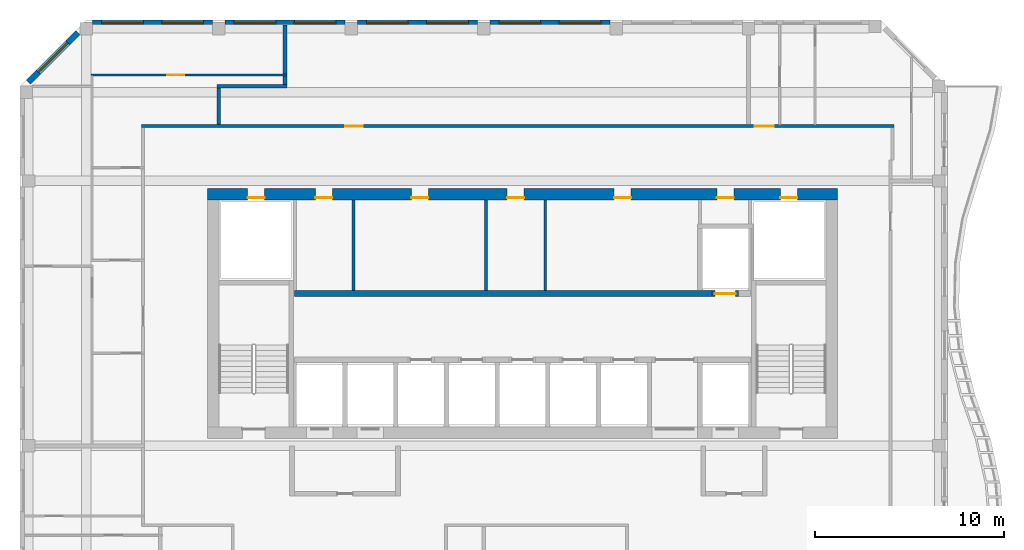
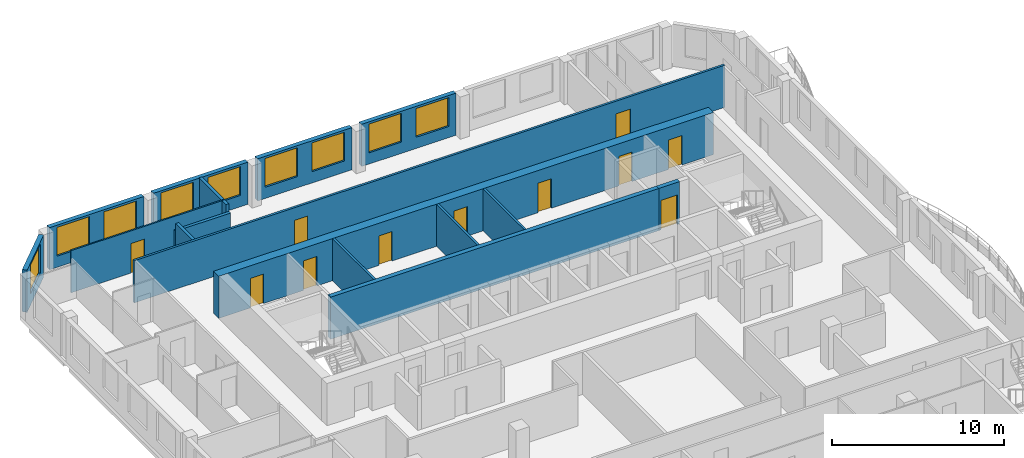
# One storey, part 7 of 13: 17 walls, 11 doors, 9 windows, 20 openings.
"""IFC4 building model written with IfcOpenShell, lengths in metres."""

from ifc_helpers import new_model, si_unit, direction, frame, frame_2d, origin, place, context, subcontext, project, spatial, rectangle, extrude, source, transform, mapped, material, layer, layer_set, type_object, element, fill, save


model = new_model("IFC4")

# Units and contexts
model_context = context("Model", 3, precision=1e-05, world=origin(), true_north=direction((0.0, 1.0)))
body_context = subcontext(model_context, "Body", "Model", "MODEL_VIEW")
ifc_project = project(units=[si_unit("LENGTHUNIT", "METRE"), si_unit("AREAUNIT", "SQUARE_METRE"), si_unit("VOLUMEUNIT", "CUBIC_METRE"), si_unit("PLANEANGLEUNIT", "RADIAN"), si_unit("MASSUNIT", "GRAM", prefix="KILO")], contexts=[model_context])

# Site, building, storey
site_placement = place(None, origin())
site = spatial("IfcSite", under=ifc_project, at=site_placement, CompositionType="ELEMENT")
building_placement = place(site_placement, origin())
building = spatial("IfcBuilding", under=site, at=building_placement, Name="Kilnfold Tower and Market Hall", CompositionType="ELEMENT")
storey_placement = place(building_placement, frame((0.0, 0.0, 287.39990234375)))
storey = spatial("IfcBuildingStorey", under=building, at=storey_placement, Name="L71", CompositionType="ELEMENT", Elevation=287.39990234375)

# Wall, openings, doors
ifc_material_1 = material(Name="Gypsum board on steel studs", Category="steel")
ifc_layer_1 = layer(ifc_material_1, 0.14990234375)
ifc_layer_set_1 = layer_set([ifc_layer_1], Name="Gypsum board on steel studs")
wall_type_1 = type_object("IfcWallType", Name="WALL CORRIDOR 150", PredefinedType="PARTITIONING", material=ifc_layer_set_1)
wall_1_placement = place(storey_placement, frame((-19.074951171875, 24.89990234375, 0.0), z_axis=(0.0, 0.0, 1.0), x_axis=(1.0, 0.0, 0.0)))
wall_1 = element("IfcWall", 1, at=wall_1_placement, inside=storey, type_object=wall_type_1, Name="Partition LY43.24", PredefinedType="PARTITIONING", context=body_context, shape_type="SweptSolid", body=[
    extrude(rectangle(XDim=39.75, YDim=0.14990234375, at=frame_2d((19.875, 0.0))), origin(), (0.0, 0.0, 1.0), 3.0),
])
opening_1_placement = place(wall_1_placement, frame((10.77001953125, 0.0, 0.0)))
opening_1 = element("IfcOpeningElement", 2, at=opening_1_placement, cuts=wall_1, Name="Opening D2", PredefinedType="OPENING", context=body_context, shape_type="SweptSolid", body=[
    extrude(rectangle(XDim=0.89990234375, YDim=2.10009765625, at=frame_2d((0.449951171875, 1.050048828125))), frame((0.0, 0.0849609375, 0.0), z_axis=(0.0, -1.0, 0.0), x_axis=(1.0, 0.0, 0.0)), (0.0, 0.0, 1.0), 0.169921875),
])
opening_2_placement = place(wall_1_placement, frame((32.39501953125, 0.0, 0.0)))
opening_2 = element("IfcOpeningElement", 3, at=opening_2_placement, cuts=wall_1, Name="Opening D1", PredefinedType="OPENING", context=body_context, shape_type="SweptSolid", body=[
    extrude(rectangle(XDim=1.0, YDim=2.10009765625, at=frame_2d((0.5, 1.050048828125))), frame((0.0, 0.0849609375, 0.0), z_axis=(0.0, -1.0, 0.0), x_axis=(1.0, 0.0, 0.0)), (0.0, 0.0, 1.0), 0.169921875),
])
ifc_material_2 = material(Name="Timber veneer door leaf in steel frame", Category="steel")
door_type_1 = type_object("IfcDoorType", Name="DOOR ENTRY 1000 X2100", OperationType="NOTDEFINED", PredefinedType="DOOR", material=ifc_material_2)
door_1_placement = place(opening_2_placement, origin())
door_1 = element("IfcDoor", 4, at=door_1_placement, inside=storey, type_object=door_type_1, Name="Door D1", OperationType="SINGLE_SWING_RIGHT", OverallHeight=2.10009765625, OverallWidth=1.0, PredefinedType="DOOR", context=body_context, shape_type="SweptSolid", body=[
    extrude(rectangle(XDim=1.0, YDim=2.10009765625, at=frame_2d((0.5, 1.050048828125))), frame((0.0, 0.02490234375, 0.0), z_axis=(0.0, -1.0, 0.0), x_axis=(1.0, 0.0, 0.0)), (0.0, 0.0, 1.0), 0.050048828125),
])
fill(opening_2, door_1)
ifc_material_3 = material(Name="Timber veneer door leaf in steel frame", Category="steel")
door_type_2 = type_object("IfcDoorType", Name="DOOR ROOM 900 X2100", OperationType="NOTDEFINED", PredefinedType="DOOR", material=ifc_material_3)
door_2_placement = place(opening_1_placement, origin())
door_2 = element("IfcDoor", 5, at=door_2_placement, inside=storey, type_object=door_type_2, Name="Door D2", OperationType="SINGLE_SWING_LEFT", OverallHeight=2.10009765625, OverallWidth=0.89990234375, PredefinedType="DOOR", context=body_context, shape_type="SweptSolid", body=[
    extrude(rectangle(XDim=0.89990234375, YDim=2.10009765625, at=frame_2d((0.449951171875, 1.050048828125))), frame((0.0, 0.02490234375, 0.0), z_axis=(0.0, -1.0, 0.0), x_axis=(1.0, 0.0, 0.0)), (0.0, 0.0, 1.0), 0.050048828125),
])
fill(opening_1, door_2)

# Wall, opening, door
ifc_material_4 = material(Name="Gypsum board on steel studs", Category="steel")
ifc_layer_2 = layer(ifc_material_4, 0.10009765625)
ifc_layer_set_2 = layer_set([ifc_layer_2], Name="Gypsum board on steel studs")
wall_type_2 = type_object("IfcWallType", Name="WALL PARTITION 100", PredefinedType="PARTITIONING", material=ifc_layer_set_2)
wall_2_placement = place(storey_placement, frame((-11.39990234375, 27.60009765625, 0.0), z_axis=(0.0, 0.0, 1.0), x_axis=(-1.0, 0.0, 0.0)))
wall_2 = element("IfcWall", 6, at=wall_2_placement, inside=storey, type_object=wall_type_2, Name="Partition LY43.79", PredefinedType="PARTITIONING", context=body_context, shape_type="SweptSolid", body=[
    extrude(rectangle(XDim=10.35009765625, YDim=0.10009765625, at=frame_2d((5.175048828125, 0.0))), origin(), (0.0, 0.0, 1.0), 3.0),
])
opening_3_placement = place(wall_2_placement, frame((5.428955078125, 0.0, 0.0)))
opening_3 = element("IfcOpeningElement", 7, at=opening_3_placement, cuts=wall_2, Name="Opening D2", PredefinedType="OPENING", context=body_context, shape_type="SweptSolid", body=[
    extrude(rectangle(XDim=0.89990234375, YDim=2.10009765625, at=frame_2d((0.449951171875, 1.050048828125))), frame((0.0, 0.06005859375, 0.0), z_axis=(0.0, -1.0, 0.0), x_axis=(1.0, 0.0, 0.0)), (0.0, 0.0, 1.0), 0.1201171875),
])
door_3_placement = place(opening_3_placement, origin())
door_3 = element("IfcDoor", 8, at=door_3_placement, inside=storey, type_object=door_type_2, Name="Door D2", OperationType="SINGLE_SWING_LEFT", OverallHeight=2.10009765625, OverallWidth=0.89990234375, PredefinedType="DOOR", context=body_context, shape_type="SweptSolid", body=[
    extrude(rectangle(XDim=0.89990234375, YDim=2.10009765625, at=frame_2d((0.449951171875, 1.050048828125))), frame((0.0, 0.02490234375, 0.0), z_axis=(0.0, -1.0, 0.0), x_axis=(1.0, 0.0, 0.0)), (0.0, 0.0, 1.0), 0.050048828125),
])
fill(opening_3, door_3)

# Walls
ifc_material_5 = material(Name="Gypsum board on steel studs", Category="steel")
ifc_layer_3 = layer(ifc_material_5, 0.199951171875)
ifc_layer_set_3 = layer_set([ifc_layer_3], Name="Gypsum board on steel studs")
wall_type_3 = type_object("IfcWallType", Name="WALL PARTY 200", PredefinedType="PARTITIONING", material=ifc_layer_set_3)
wall_3_placement = place(storey_placement, frame((-15.0, 26.89990234375, 0.0), z_axis=(0.0, 0.0, 1.0), x_axis=(0.0, -1.0, 0.0)))
element("IfcWall", 9, at=wall_3_placement, inside=storey, type_object=wall_type_3, Name="Partition LY43.67", PredefinedType="PARTITIONING", context=body_context, shape_type="SweptSolid", body=[
    extrude(rectangle(XDim=1.9228515625, YDim=0.199951171875, at=frame_2d((0.96142578125, 0.0))), origin(), (0.0, 0.0, 1.0), 3.0),
])
wall_4_placement = place(storey_placement, frame((-11.39990234375, 27.0, 0.0), z_axis=(0.0, 0.0, 1.0), x_axis=(-1.0, 0.0, 0.0)))
element("IfcWall", 10, at=wall_4_placement, inside=storey, type_object=wall_type_3, Name="Partition LY43.68", PredefinedType="PARTITIONING", context=body_context, shape_type="SweptSolid", body=[
    extrude(rectangle(XDim=3.7001953125, YDim=0.199951171875, at=frame_2d((1.85009765625, 0.0))), origin(), (0.0, 0.0, 1.0), 2.4501953125),
])
wall_5_placement = place(storey_placement, frame((-11.5, 27.10009765625, 0.0), z_axis=(0.0, 0.0, 1.0), x_axis=(0.0, 1.0, 0.0)))
element("IfcWall", 11, at=wall_5_placement, inside=storey, type_object=wall_type_3, Name="Partition LY43.69", PredefinedType="PARTITIONING", context=body_context, shape_type="SweptSolid", body=[
    extrude(rectangle(XDim=0.4599609375, YDim=0.199951171875, at=frame_2d((0.22998046875, 0.0))), origin(), (0.0, 0.0, 1.0), 3.0),
])
wall_6_placement = place(storey_placement, frame((-11.5, 27.64208984375, 0.0), z_axis=(0.0, 0.0, 1.0), x_axis=(0.0, 1.0, 0.0)))
element("IfcWall", 12, at=wall_6_placement, inside=storey, type_object=wall_type_3, Name="Partition LY43.70", PredefinedType="PARTITIONING", context=body_context, shape_type="SweptSolid", body=[
    extrude(rectangle(XDim=2.60791015625, YDim=0.199951171875, at=frame_2d((1.303955078125, 0.0))), origin(), (0.0, 0.0, 1.0), 3.0),
])
ifc_material_6 = material(Name="Concrete C50", Category="concrete")
ifc_layer_4 = layer(ifc_material_6, 0.300048828125)
ifc_layer_set_4 = layer_set([ifc_layer_4], Name="Concrete C50")
wall_type_4 = type_object("IfcWallType", Name="CORE WALL 300 C50", PredefinedType="SHEAR", material=ifc_layer_set_4)
shared_shape_1 = source(origin(), body_context, "Body", "SweptSolid", [
    extrude(rectangle(XDim=22.080078125, YDim=0.300048828125, at=frame_2d((11.0400390625, 0.0))), origin(), (0.0, 0.0, 1.0), 3.0),
])
wall_7_placement = place(storey_placement, frame((-11.010009765625, 16.050048828125, 0.0), z_axis=(0.0, 0.0, 1.0), x_axis=(1.0, 0.0, 0.0)))
element("IfcWall", 13, at=wall_7_placement, inside=storey, type_object=wall_type_4, Name="Core spine wall", PredefinedType="SHEAR", context=body_context, shape_type="MappedRepresentation", body=[
    mapped(shared_shape_1, transform((0.0, 0.0, 0.0))),
])

# Wall, openings, doors
ifc_material_7 = material(Name="Concrete C50", Category="concrete")
ifc_layer_5 = layer(ifc_material_7, 0.60009765625)
ifc_layer_set_5 = layer_set([ifc_layer_5], Name="Concrete C50")
wall_type_5 = type_object("IfcWallType", Name="CORE WALL 600 C50", PredefinedType="SHEAR", material=ifc_layer_set_5)
shared_shape_2 = source(origin(), body_context, "Body", "SweptSolid", [
    extrude(rectangle(XDim=33.300048828125, YDim=0.60009765625, at=frame_2d((16.64990234375, 0.0))), origin(), (0.0, 0.0, 1.0), 3.0),
])
wall_8_placement = place(storey_placement, frame((-15.60009765625, 21.300048828125, 0.0), z_axis=(0.0, 0.0, 1.0), x_axis=(1.0, 0.0, 0.0)))
wall_8 = element("IfcWall", 14, at=wall_8_placement, inside=storey, type_object=wall_type_5, Name="Core outer wall north", PredefinedType="SHEAR", context=body_context, shape_type="MappedRepresentation", body=[
    mapped(shared_shape_2, transform((0.0, 0.0, 0.0))),
])
opening_4_placement = place(wall_8_placement, frame((5.707763671875, 0.0, 0.0)))
opening_4 = element("IfcOpeningElement", 15, at=opening_4_placement, cuts=wall_8, Name="Opening KD1", PredefinedType="OPENING", context=body_context, shape_type="SweptSolid", body=[
    extrude(rectangle(XDim=0.89990234375, YDim=2.10009765625, at=frame_2d((0.449951171875, 1.050048828125))), frame((0.0, 0.31005859375, 0.0), z_axis=(0.0, -1.0, 0.0), x_axis=(1.0, 0.0, 0.0)), (0.0, 0.0, 1.0), 0.6201171875),
])
opening_5_placement = place(wall_8_placement, frame((10.77294921875, 0.0, 0.0)))
opening_5 = element("IfcOpeningElement", 16, at=opening_5_placement, cuts=wall_8, Name="Opening KD1", PredefinedType="OPENING", context=body_context, shape_type="SweptSolid", body=[
    extrude(rectangle(XDim=0.89990234375, YDim=2.10009765625, at=frame_2d((0.449951171875, 1.050048828125))), frame((0.0, 0.31005859375, 0.0), z_axis=(0.0, -1.0, 0.0), x_axis=(1.0, 0.0, 0.0)), (0.0, 0.0, 1.0), 0.6201171875),
])
opening_6_placement = place(wall_8_placement, frame((15.838134765625, 0.0, 0.0)))
opening_6 = element("IfcOpeningElement", 17, at=opening_6_placement, cuts=wall_8, Name="Opening KD1", PredefinedType="OPENING", context=body_context, shape_type="SweptSolid", body=[
    extrude(rectangle(XDim=0.89990234375, YDim=2.10009765625, at=frame_2d((0.449951171875, 1.050048828125))), frame((0.0, 0.31005859375, 0.0), z_axis=(0.0, -1.0, 0.0), x_axis=(1.0, 0.0, 0.0)), (0.0, 0.0, 1.0), 0.6201171875),
])
opening_7_placement = place(wall_8_placement, frame((21.492919921875, 0.0, 0.0)))
opening_7 = element("IfcOpeningElement", 18, at=opening_7_placement, cuts=wall_8, Name="Opening KD1", PredefinedType="OPENING", context=body_context, shape_type="SweptSolid", body=[
    extrude(rectangle(XDim=0.89990234375, YDim=2.10009765625, at=frame_2d((0.449951171875, 1.050048828125))), frame((0.0, 0.31005859375, 0.0), z_axis=(0.0, -1.0, 0.0), x_axis=(1.0, 0.0, 0.0)), (0.0, 0.0, 1.0), 0.6201171875),
])
opening_8_placement = place(wall_8_placement, frame((26.919921875, 0.0, 0.0)))
opening_8 = element("IfcOpeningElement", 19, at=opening_8_placement, cuts=wall_8, Name="Opening KD1", PredefinedType="OPENING", context=body_context, shape_type="SweptSolid", body=[
    extrude(rectangle(XDim=0.89990234375, YDim=2.10009765625, at=frame_2d((0.449951171875, 1.050048828125))), frame((0.0, 0.31005859375, 0.0), z_axis=(0.0, -1.0, 0.0), x_axis=(1.0, 0.0, 0.0)), (0.0, 0.0, 1.0), 0.6201171875),
])
opening_9_placement = place(wall_8_placement, frame((2.125, 0.0, 0.0)))
opening_9 = element("IfcOpeningElement", 20, at=opening_9_placement, cuts=wall_8, Name="Opening KD1", PredefinedType="OPENING", context=body_context, shape_type="SweptSolid", body=[
    extrude(rectangle(XDim=0.89990234375, YDim=2.10009765625, at=frame_2d((0.449951171875, 1.050048828125))), frame((0.0, 0.31005859375, 0.0), z_axis=(0.0, -1.0, 0.0), x_axis=(1.0, 0.0, 0.0)), (0.0, 0.0, 1.0), 0.6201171875),
])
opening_10_placement = place(wall_8_placement, frame((30.27490234375, 0.0, 0.0)))
opening_10 = element("IfcOpeningElement", 21, at=opening_10_placement, cuts=wall_8, Name="Opening KD1", PredefinedType="OPENING", context=body_context, shape_type="SweptSolid", body=[
    extrude(rectangle(XDim=0.89990234375, YDim=2.10009765625, at=frame_2d((0.449951171875, 1.050048828125))), frame((0.0, 0.31005859375, 0.0), z_axis=(0.0, -1.0, 0.0), x_axis=(1.0, 0.0, 0.0)), (0.0, 0.0, 1.0), 0.6201171875),
])
ifc_material_8 = material(Name="Steel door set with fire-resisting leaf", Category="steel")
door_type_3 = type_object("IfcDoorType", Name="SERVICE DOOR 900X2100", OperationType="NOTDEFINED", PredefinedType="DOOR", material=ifc_material_8)
door_4_placement = place(opening_4_placement, origin())
door_4 = element("IfcDoor", 22, at=door_4_placement, inside=storey, type_object=door_type_3, Name="Core service door", OperationType="SINGLE_SWING_RIGHT", OverallHeight=2.10009765625, OverallWidth=0.89990234375, PredefinedType="DOOR", context=body_context, shape_type="SweptSolid", body=[
    extrude(rectangle(XDim=0.89990234375, YDim=2.10009765625, at=frame_2d((0.449951171875, 1.050048828125))), frame((0.0, -0.15478515625, 0.0), z_axis=(0.0, -1.0, 0.0), x_axis=(1.0, 0.0, 0.0)), (0.0, 0.0, 1.0), 0.050048828125),
])
fill(opening_4, door_4)
door_5_placement = place(opening_5_placement, origin())
door_5 = element("IfcDoor", 23, at=door_5_placement, inside=storey, type_object=door_type_3, Name="Core service door", OperationType="SINGLE_SWING_LEFT", OverallHeight=2.10009765625, OverallWidth=0.89990234375, PredefinedType="DOOR", context=body_context, shape_type="SweptSolid", body=[
    extrude(rectangle(XDim=0.89990234375, YDim=2.10009765625, at=frame_2d((0.449951171875, 1.050048828125))), frame((0.0, -0.15478515625, 0.0), z_axis=(0.0, -1.0, 0.0), x_axis=(1.0, 0.0, 0.0)), (0.0, 0.0, 1.0), 0.050048828125),
])
fill(opening_5, door_5)
door_6_placement = place(opening_6_placement, origin())
door_6 = element("IfcDoor", 24, at=door_6_placement, inside=storey, type_object=door_type_3, Name="Core service door", OperationType="SINGLE_SWING_RIGHT", OverallHeight=2.10009765625, OverallWidth=0.89990234375, PredefinedType="DOOR", context=body_context, shape_type="SweptSolid", body=[
    extrude(rectangle(XDim=0.89990234375, YDim=2.10009765625, at=frame_2d((0.449951171875, 1.050048828125))), frame((0.0, -0.15478515625, 0.0), z_axis=(0.0, -1.0, 0.0), x_axis=(1.0, 0.0, 0.0)), (0.0, 0.0, 1.0), 0.050048828125),
])
fill(opening_6, door_6)
door_7_placement = place(opening_7_placement, origin())
door_7 = element("IfcDoor", 25, at=door_7_placement, inside=storey, type_object=door_type_3, Name="Core service door", OperationType="SINGLE_SWING_LEFT", OverallHeight=2.10009765625, OverallWidth=0.89990234375, PredefinedType="DOOR", context=body_context, shape_type="SweptSolid", body=[
    extrude(rectangle(XDim=0.89990234375, YDim=2.10009765625, at=frame_2d((0.449951171875, 1.050048828125))), frame((0.0, -0.15478515625, 0.0), z_axis=(0.0, -1.0, 0.0), x_axis=(1.0, 0.0, 0.0)), (0.0, 0.0, 1.0), 0.050048828125),
])
fill(opening_7, door_7)
door_8_placement = place(opening_8_placement, origin())
door_8 = element("IfcDoor", 26, at=door_8_placement, inside=storey, type_object=door_type_3, Name="Core service door", OperationType="SINGLE_SWING_RIGHT", OverallHeight=2.10009765625, OverallWidth=0.89990234375, PredefinedType="DOOR", context=body_context, shape_type="SweptSolid", body=[
    extrude(rectangle(XDim=0.89990234375, YDim=2.10009765625, at=frame_2d((0.449951171875, 1.050048828125))), frame((0.0, -0.15478515625, 0.0), z_axis=(0.0, -1.0, 0.0), x_axis=(1.0, 0.0, 0.0)), (0.0, 0.0, 1.0), 0.050048828125),
])
fill(opening_8, door_8)
door_9_placement = place(opening_9_placement, origin())
door_9 = element("IfcDoor", 27, at=door_9_placement, inside=storey, type_object=door_type_3, Name="Electrical riser access door", OperationType="SINGLE_SWING_LEFT", OverallHeight=2.10009765625, OverallWidth=0.89990234375, PredefinedType="DOOR", context=body_context, shape_type="SweptSolid", body=[
    extrude(rectangle(XDim=0.89990234375, YDim=2.10009765625, at=frame_2d((0.449951171875, 1.050048828125))), frame((0.0, -0.15478515625, 0.0), z_axis=(0.0, -1.0, 0.0), x_axis=(1.0, 0.0, 0.0)), (0.0, 0.0, 1.0), 0.050048828125),
])
fill(opening_9, door_9)
door_10_placement = place(opening_10_placement, origin())
door_10 = element("IfcDoor", 28, at=door_10_placement, inside=storey, type_object=door_type_3, Name="Mechanical riser access door", OperationType="SINGLE_SWING_RIGHT", OverallHeight=2.10009765625, OverallWidth=0.89990234375, PredefinedType="DOOR", context=body_context, shape_type="SweptSolid", body=[
    extrude(rectangle(XDim=0.89990234375, YDim=2.10009765625, at=frame_2d((0.449951171875, 1.050048828125))), frame((0.0, -0.15478515625, 0.0), z_axis=(0.0, -1.0, 0.0), x_axis=(1.0, 0.0, 0.0)), (0.0, 0.0, 1.0), 0.050048828125),
])
fill(opening_10, door_10)

# Wall, openings, windows
ifc_material_9 = material(Name="Precast concrete C50/60", Category="concrete")
ifc_layer_6 = layer(ifc_material_9, 0.300048828125)
ifc_layer_set_6 = layer_set([ifc_layer_6], Name="Precast concrete C50/60")
wall_type_6 = type_object("IfcWallType", Name="PRECAST WALL 300", PredefinedType="SOLIDWALL", material=ifc_layer_set_6)
shared_shape_3 = source(origin(), body_context, "Body", "SweptSolid", [
    extrude(rectangle(XDim=6.35009765625, YDim=0.300048828125, at=frame_2d((3.175048828125, 0.0))), origin(), (0.0, 0.0, 1.0), 3.0),
])
wall_9_placement = place(storey_placement, frame((5.675048828125, 30.35009765625, 0.0), z_axis=(0.0, 0.0, 1.0), x_axis=(-1.0, 0.0, 0.0)))
wall_9 = element("IfcWall", 29, at=wall_9_placement, inside=storey, type_object=wall_type_6, Name="External wall L71 N", PredefinedType="SOLIDWALL", context=body_context, shape_type="MappedRepresentation", body=[
    mapped(shared_shape_3, transform((0.0, 0.0, 0.0))),
])
opening_11_placement = place(wall_9_placement, frame((0.487548828125, 0.0, 0.800048828125)))
opening_11 = element("IfcOpeningElement", 30, at=opening_11_placement, cuts=wall_9, Name="Opening W3", PredefinedType="OPENING", context=body_context, shape_type="SweptSolid", body=[
    extrude(rectangle(XDim=2.199951171875, YDim=2.050048828125, at=frame_2d((1.10009765625, 1.02490234375))), frame((0.0, 0.16015625, 0.0), z_axis=(0.0, -1.0, 0.0), x_axis=(1.0, 0.0, 0.0)), (0.0, 0.0, 1.0), 0.320068359375),
])
opening_12_placement = place(wall_9_placement, frame((3.66259765625, 0.0, 0.800048828125)))
opening_12 = element("IfcOpeningElement", 31, at=opening_12_placement, cuts=wall_9, Name="Opening W3", PredefinedType="OPENING", context=body_context, shape_type="SweptSolid", body=[
    extrude(rectangle(XDim=2.199951171875, YDim=2.050048828125, at=frame_2d((1.10009765625, 1.02490234375))), frame((0.0, 0.16015625, 0.0), z_axis=(0.0, -1.0, 0.0), x_axis=(1.0, 0.0, 0.0)), (0.0, 0.0, 1.0), 0.320068359375),
])
ifc_material_10 = material(Name="Aluminium frame and double glazing", Category="aluminium")
window_type = type_object("IfcWindowType", Name="WINDOW W3 2200X2050", PartitioningType="SINGLE_PANEL", PredefinedType="WINDOW", material=ifc_material_10)
window_1_placement = place(opening_11_placement, origin())
window_1 = element("IfcWindow", 32, at=window_1_placement, inside=storey, type_object=window_type, Name="Window W3 L71 N-1", OverallHeight=2.050048828125, OverallWidth=2.199951171875, PartitioningType="SINGLE_PANEL", PredefinedType="WINDOW", context=body_context, shape_type="SweptSolid", body=[
    extrude(rectangle(XDim=2.199951171875, YDim=2.050048828125, at=frame_2d((1.10009765625, 1.02490234375))), frame((0.0, 0.030029296875, 0.0), z_axis=(0.0, -1.0, 0.0), x_axis=(1.0, 0.0, 0.0)), (0.0, 0.0, 1.0), 0.06005859375),
])
fill(opening_11, window_1)
window_2_placement = place(opening_12_placement, origin())
window_2 = element("IfcWindow", 33, at=window_2_placement, inside=storey, type_object=window_type, Name="Window W3 L71 N-2", OverallHeight=2.050048828125, OverallWidth=2.199951171875, PartitioningType="SINGLE_PANEL", PredefinedType="WINDOW", context=body_context, shape_type="SweptSolid", body=[
    extrude(rectangle(XDim=2.199951171875, YDim=2.050048828125, at=frame_2d((1.10009765625, 1.02490234375))), frame((0.0, 0.030029296875, 0.0), z_axis=(0.0, -1.0, 0.0), x_axis=(1.0, 0.0, 0.0)), (0.0, 0.0, 1.0), 0.06005859375),
])
fill(opening_12, window_2)

wall_10_placement = place(storey_placement, frame((-1.324951171875, 30.35009765625, 0.0), z_axis=(0.0, 0.0, 1.0), x_axis=(-1.0, 0.0, 0.0)))
wall_10 = element("IfcWall", 34, at=wall_10_placement, inside=storey, type_object=wall_type_6, Name="External wall L71 N", PredefinedType="SOLIDWALL", context=body_context, shape_type="MappedRepresentation", body=[
    mapped(shared_shape_3, transform((0.0, 0.0, 0.0))),
])
opening_13_placement = place(wall_10_placement, frame((0.487548828125, 0.0, 0.800048828125)))
opening_13 = element("IfcOpeningElement", 35, at=opening_13_placement, cuts=wall_10, Name="Opening W3", PredefinedType="OPENING", context=body_context, shape_type="SweptSolid", body=[
    extrude(rectangle(XDim=2.199951171875, YDim=2.050048828125, at=frame_2d((1.10009765625, 1.02490234375))), frame((0.0, 0.16015625, 0.0), z_axis=(0.0, -1.0, 0.0), x_axis=(1.0, 0.0, 0.0)), (0.0, 0.0, 1.0), 0.320068359375),
])
opening_14_placement = place(wall_10_placement, frame((3.66259765625, 0.0, 0.800048828125)))
opening_14 = element("IfcOpeningElement", 36, at=opening_14_placement, cuts=wall_10, Name="Opening W3", PredefinedType="OPENING", context=body_context, shape_type="SweptSolid", body=[
    extrude(rectangle(XDim=2.199951171875, YDim=2.050048828125, at=frame_2d((1.10009765625, 1.02490234375))), frame((0.0, 0.16015625, 0.0), z_axis=(0.0, -1.0, 0.0), x_axis=(1.0, 0.0, 0.0)), (0.0, 0.0, 1.0), 0.320068359375),
])
window_3_placement = place(opening_13_placement, origin())
window_3 = element("IfcWindow", 37, at=window_3_placement, inside=storey, type_object=window_type, Name="Window W3 L71 N-1", OverallHeight=2.050048828125, OverallWidth=2.199951171875, PartitioningType="SINGLE_PANEL", PredefinedType="WINDOW", context=body_context, shape_type="SweptSolid", body=[
    extrude(rectangle(XDim=2.199951171875, YDim=2.050048828125, at=frame_2d((1.10009765625, 1.02490234375))), frame((0.0, 0.030029296875, 0.0), z_axis=(0.0, -1.0, 0.0), x_axis=(1.0, 0.0, 0.0)), (0.0, 0.0, 1.0), 0.06005859375),
])
fill(opening_13, window_3)
window_4_placement = place(opening_14_placement, origin())
window_4 = element("IfcWindow", 38, at=window_4_placement, inside=storey, type_object=window_type, Name="Window W3 L71 N-2", OverallHeight=2.050048828125, OverallWidth=2.199951171875, PartitioningType="SINGLE_PANEL", PredefinedType="WINDOW", context=body_context, shape_type="SweptSolid", body=[
    extrude(rectangle(XDim=2.199951171875, YDim=2.050048828125, at=frame_2d((1.10009765625, 1.02490234375))), frame((0.0, 0.030029296875, 0.0), z_axis=(0.0, -1.0, 0.0), x_axis=(1.0, 0.0, 0.0)), (0.0, 0.0, 1.0), 0.06005859375),
])
fill(opening_14, window_4)

wall_11_placement = place(storey_placement, frame((-8.324951171875, 30.35009765625, 0.0), z_axis=(0.0, 0.0, 1.0), x_axis=(-1.0, 0.0, 0.0)))
wall_11 = element("IfcWall", 39, at=wall_11_placement, inside=storey, type_object=wall_type_6, Name="External wall L71 N", PredefinedType="SOLIDWALL", context=body_context, shape_type="MappedRepresentation", body=[
    mapped(shared_shape_3, transform((0.0, 0.0, 0.0))),
])
opening_15_placement = place(wall_11_placement, frame((0.487548828125, 0.0, 0.800048828125)))
opening_15 = element("IfcOpeningElement", 40, at=opening_15_placement, cuts=wall_11, Name="Opening W3", PredefinedType="OPENING", context=body_context, shape_type="SweptSolid", body=[
    extrude(rectangle(XDim=2.199951171875, YDim=2.050048828125, at=frame_2d((1.10009765625, 1.02490234375))), frame((0.0, 0.16015625, 0.0), z_axis=(0.0, -1.0, 0.0), x_axis=(1.0, 0.0, 0.0)), (0.0, 0.0, 1.0), 0.320068359375),
])
opening_16_placement = place(wall_11_placement, frame((3.66259765625, 0.0, 0.800048828125)))
opening_16 = element("IfcOpeningElement", 41, at=opening_16_placement, cuts=wall_11, Name="Opening W3", PredefinedType="OPENING", context=body_context, shape_type="SweptSolid", body=[
    extrude(rectangle(XDim=2.199951171875, YDim=2.050048828125, at=frame_2d((1.10009765625, 1.02490234375))), frame((0.0, 0.16015625, 0.0), z_axis=(0.0, -1.0, 0.0), x_axis=(1.0, 0.0, 0.0)), (0.0, 0.0, 1.0), 0.320068359375),
])
window_5_placement = place(opening_15_placement, origin())
window_5 = element("IfcWindow", 42, at=window_5_placement, inside=storey, type_object=window_type, Name="Window W3 L71 N-1", OverallHeight=2.050048828125, OverallWidth=2.199951171875, PartitioningType="SINGLE_PANEL", PredefinedType="WINDOW", context=body_context, shape_type="SweptSolid", body=[
    extrude(rectangle(XDim=2.199951171875, YDim=2.050048828125, at=frame_2d((1.10009765625, 1.02490234375))), frame((0.0, 0.030029296875, 0.0), z_axis=(0.0, -1.0, 0.0), x_axis=(1.0, 0.0, 0.0)), (0.0, 0.0, 1.0), 0.06005859375),
])
fill(opening_15, window_5)
window_6_placement = place(opening_16_placement, origin())
window_6 = element("IfcWindow", 43, at=window_6_placement, inside=storey, type_object=window_type, Name="Window W3 L71 N-2", OverallHeight=2.050048828125, OverallWidth=2.199951171875, PartitioningType="SINGLE_PANEL", PredefinedType="WINDOW", context=body_context, shape_type="SweptSolid", body=[
    extrude(rectangle(XDim=2.199951171875, YDim=2.050048828125, at=frame_2d((1.10009765625, 1.02490234375))), frame((0.0, 0.030029296875, 0.0), z_axis=(0.0, -1.0, 0.0), x_axis=(1.0, 0.0, 0.0)), (0.0, 0.0, 1.0), 0.06005859375),
])
fill(opening_16, window_6)

wall_12_placement = place(storey_placement, frame((-15.324951171875, 30.35009765625, 0.0), z_axis=(0.0, 0.0, 1.0), x_axis=(-1.0, 0.0, 0.0)))
wall_12 = element("IfcWall", 44, at=wall_12_placement, inside=storey, type_object=wall_type_6, Name="External wall L71 N", PredefinedType="SOLIDWALL", context=body_context, shape_type="MappedRepresentation", body=[
    mapped(shared_shape_3, transform((0.0, 0.0, 0.0))),
])
opening_17_placement = place(wall_12_placement, frame((0.487548828125, 0.0, 0.800048828125)))
opening_17 = element("IfcOpeningElement", 45, at=opening_17_placement, cuts=wall_12, Name="Opening W3", PredefinedType="OPENING", context=body_context, shape_type="SweptSolid", body=[
    extrude(rectangle(XDim=2.199951171875, YDim=2.050048828125, at=frame_2d((1.10009765625, 1.02490234375))), frame((0.0, 0.16015625, 0.0), z_axis=(0.0, -1.0, 0.0), x_axis=(1.0, 0.0, 0.0)), (0.0, 0.0, 1.0), 0.320068359375),
])
opening_18_placement = place(wall_12_placement, frame((3.66259765625, 0.0, 0.800048828125)))
opening_18 = element("IfcOpeningElement", 46, at=opening_18_placement, cuts=wall_12, Name="Opening W3", PredefinedType="OPENING", context=body_context, shape_type="SweptSolid", body=[
    extrude(rectangle(XDim=2.199951171875, YDim=2.050048828125, at=frame_2d((1.10009765625, 1.02490234375))), frame((0.0, 0.16015625, 0.0), z_axis=(0.0, -1.0, 0.0), x_axis=(1.0, 0.0, 0.0)), (0.0, 0.0, 1.0), 0.320068359375),
])
window_7_placement = place(opening_17_placement, origin())
window_7 = element("IfcWindow", 47, at=window_7_placement, inside=storey, type_object=window_type, Name="Window W3 L71 N-1", OverallHeight=2.050048828125, OverallWidth=2.199951171875, PartitioningType="SINGLE_PANEL", PredefinedType="WINDOW", context=body_context, shape_type="SweptSolid", body=[
    extrude(rectangle(XDim=2.199951171875, YDim=2.050048828125, at=frame_2d((1.10009765625, 1.02490234375))), frame((0.0, 0.030029296875, 0.0), z_axis=(0.0, -1.0, 0.0), x_axis=(1.0, 0.0, 0.0)), (0.0, 0.0, 1.0), 0.06005859375),
])
fill(opening_17, window_7)
window_8_placement = place(opening_18_placement, origin())
window_8 = element("IfcWindow", 48, at=window_8_placement, inside=storey, type_object=window_type, Name="Window W3 L71 N-2", OverallHeight=2.050048828125, OverallWidth=2.199951171875, PartitioningType="SINGLE_PANEL", PredefinedType="WINDOW", context=body_context, shape_type="SweptSolid", body=[
    extrude(rectangle(XDim=2.199951171875, YDim=2.050048828125, at=frame_2d((1.10009765625, 1.02490234375))), frame((0.0, 0.030029296875, 0.0), z_axis=(0.0, -1.0, 0.0), x_axis=(1.0, 0.0, 0.0)), (0.0, 0.0, 1.0), 0.06005859375),
])
fill(opening_18, window_8)

# Wall, opening, window
shared_shape_4 = source(origin(), body_context, "Body", "SweptSolid", [
    extrude(rectangle(XDim=3.71240234375, YDim=0.300048828125, at=frame_2d((1.856201171875, 0.0))), origin(), (0.0, 0.0, 1.0), 3.0),
])
wall_13_placement = place(storey_placement, frame((-22.44384765625, 29.843994140625, 0.0), z_axis=(0.0, 0.0, 1.0), x_axis=(-0.707106781187, -0.707106781187, 0.0)))
wall_13 = element("IfcWall", 49, at=wall_13_placement, inside=storey, type_object=wall_type_6, Name="External wall L71 NW", PredefinedType="SOLIDWALL", context=body_context, shape_type="MappedRepresentation", body=[
    mapped(shared_shape_4, transform((0.0, 0.0, 0.0))),
])
opening_19_placement = place(wall_13_placement, frame((0.756103515625, 0.0, 0.800048828125)))
opening_19 = element("IfcOpeningElement", 50, at=opening_19_placement, cuts=wall_13, Name="Opening W3", PredefinedType="OPENING", context=body_context, shape_type="SweptSolid", body=[
    extrude(rectangle(XDim=2.199951171875, YDim=2.050048828125, at=frame_2d((1.10009765625, 1.02490234375))), frame((0.0, 0.16015625, 0.0), z_axis=(0.0, -1.0, 0.0), x_axis=(1.0, 0.0, 0.0)), (0.0, 0.0, 1.0), 0.320068359375),
])
window_9_placement = place(opening_19_placement, origin())
window_9 = element("IfcWindow", 51, at=window_9_placement, inside=storey, type_object=window_type, Name="Window W3 L71 NW-1", OverallHeight=2.050048828125, OverallWidth=2.199951171875, PartitioningType="SINGLE_PANEL", PredefinedType="WINDOW", context=body_context, shape_type="SweptSolid", body=[
    extrude(rectangle(XDim=2.199951171875, YDim=2.050048828125, at=frame_2d((1.10009765625, 1.02490234375))), frame((0.0, 0.030029296875, 0.0), z_axis=(0.0, -1.0, 0.0), x_axis=(1.0, 0.0, 0.0)), (0.0, 0.0, 1.0), 0.06005859375),
])
fill(opening_19, window_9)

# Wall, opening, door
ifc_material_11 = material(Name="Gypsum shaft wall system")
ifc_layer_7 = layer(ifc_material_11, 0.300048828125)
ifc_layer_set_7 = layer_set([ifc_layer_7], Name="Gypsum shaft wall system")
wall_type_7 = type_object("IfcWallType", Name="SHAFT WALL 300", PredefinedType="PARTITIONING", material=ifc_layer_set_7)
shared_shape_5 = source(origin(), body_context, "Body", "SweptSolid", [
    extrude(rectangle(XDim=1.39990234375, YDim=0.300048828125, at=frame_2d((0.699951171875, 0.0))), origin(), (0.0, 0.0, 1.0), 3.0),
])
wall_14_placement = place(storey_placement, frame((11.070068359375, 16.050048828125, 0.0), z_axis=(0.0, 0.0, 1.0), x_axis=(1.0, 0.0, 0.0)))
wall_14 = element("IfcWall", 52, at=wall_14_placement, inside=storey, type_object=wall_type_7, Name="Lift shaft front wall", PredefinedType="PARTITIONING", context=body_context, shape_type="MappedRepresentation", body=[
    mapped(shared_shape_5, transform((0.0, 0.0, 0.0))),
])
opening_20_placement = place(wall_14_placement, frame((0.14990234375, 0.0, 0.0)))
opening_20 = element("IfcOpeningElement", 53, at=opening_20_placement, cuts=wall_14, Name="Opening LD2", PredefinedType="OPENING", context=body_context, shape_type="SweptSolid", body=[
    extrude(rectangle(XDim=1.10009765625, YDim=2.10009765625, at=frame_2d((0.550048828125, 1.050048828125))), frame((0.0, 0.16015625, 0.0), z_axis=(0.0, -1.0, 0.0), x_axis=(1.0, 0.0, 0.0)), (0.0, 0.0, 1.0), 0.320068359375),
])
ifc_material_12 = material(Name="Steel door set with fire-resisting leaf", Category="steel")
door_type_4 = type_object("IfcDoorType", Name="LANDING DOOR 1100X2100", OperationType="NOTDEFINED", PredefinedType="DOOR", material=ifc_material_12)
door_11_placement = place(opening_20_placement, origin())
door_11 = element("IfcDoor", 54, at=door_11_placement, inside=storey, type_object=door_type_4, Name="Landing door HR6", OperationType="DOUBLE_DOOR_SLIDING", OverallHeight=2.10009765625, OverallWidth=1.10009765625, PredefinedType="DOOR", context=body_context, shape_type="SweptSolid", body=[
    extrude(rectangle(XDim=1.10009765625, YDim=2.10009765625, at=frame_2d((0.550048828125, 1.050048828125))), frame((0.0, 0.02490234375, 0.0), z_axis=(0.0, -1.0, 0.0), x_axis=(1.0, 0.0, 0.0)), (0.0, 0.0, 1.0), 0.050048828125),
])
fill(opening_20, door_11)

# Walls
ifc_material_13 = material(Name="Gypsum shaft wall system")
ifc_layer_8 = layer(ifc_material_13, 0.14990234375)
ifc_layer_set_8 = layer_set([ifc_layer_8], Name="Gypsum shaft wall system")
wall_type_8 = type_object("IfcWallType", Name="ROOM WALL 150", PredefinedType="PARTITIONING", material=ifc_layer_set_8)
shared_shape_6 = source(origin(), body_context, "Body", "SweptSolid", [
    extrude(rectangle(XDim=4.800048828125, YDim=0.14990234375, at=frame_2d((2.39990234375, 0.0))), origin(), (0.0, 0.0, 1.0), 3.0),
])
for number, where, z_axis, x_axis, name in (
    (55, (-7.87451171875, 16.199951171875, 0.0), (0.0, 0.0, 1.0), (0.0, 1.0, 0.0), "Core room wall"),
    (56, (-0.879638671875, 16.199951171875, 0.0), (0.0, 0.0, 1.0), (0.0, 1.0, 0.0), "Core room wall"),
    (57, (2.256103515625, 16.199951171875, 0.0), (0.0, 0.0, 1.0), (0.0, 1.0, 0.0), "Core room wall"),
):
    element("IfcWall", number, at=place(storey_placement, frame(where, z_axis=z_axis, x_axis=x_axis)), inside=storey, type_object=wall_type_8, Name=name, PredefinedType="PARTITIONING", context=body_context, shape_type="MappedRepresentation", body=[
        mapped(shared_shape_6, transform((0.0, 0.0, 0.0))),
    ])

save(model, "model.ifc")
